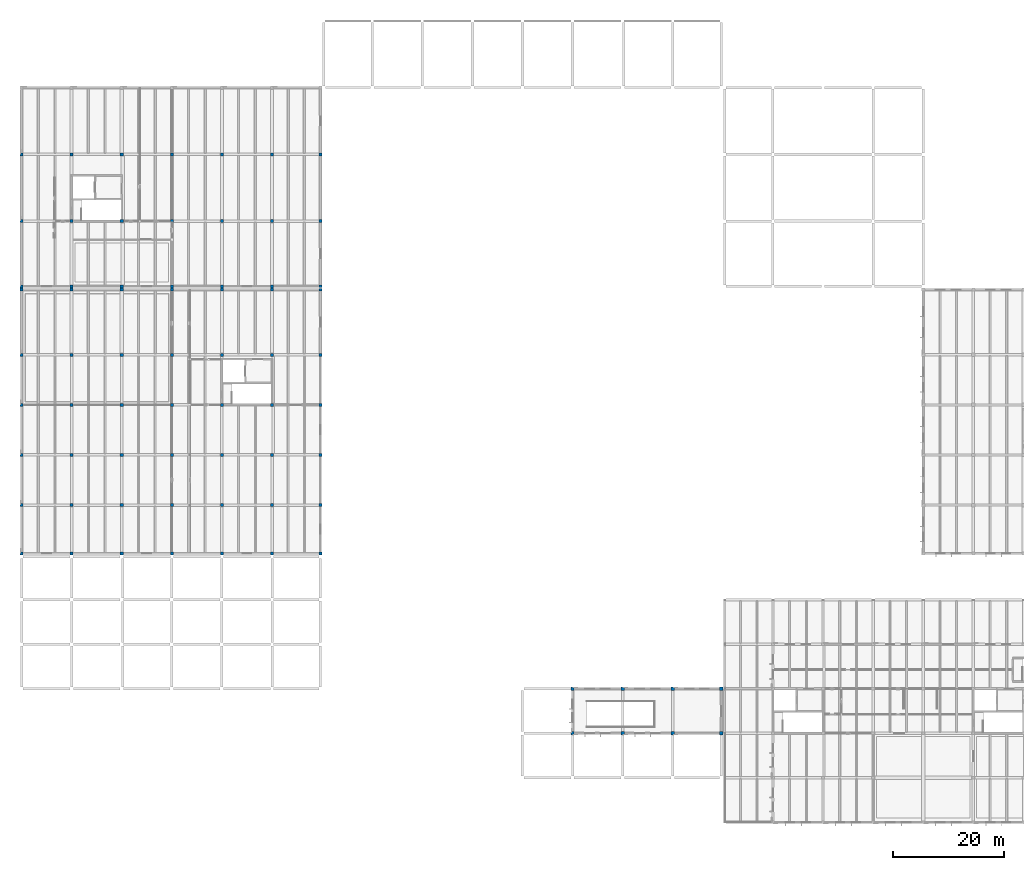
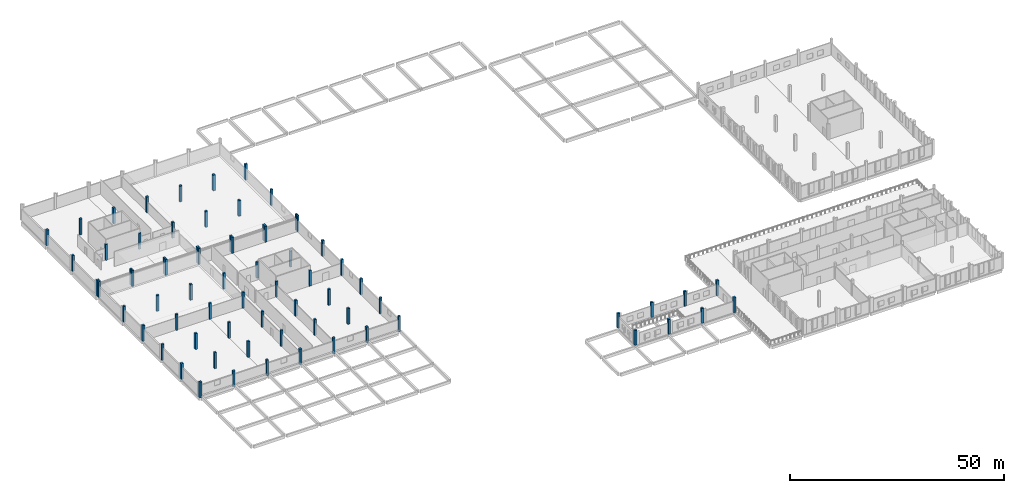
# One storey, part 1 of 25: 71 columns.
"""IFC4 building model written with IfcOpenShell, lengths in metres."""

from ifc_helpers import new_model, si_unit, direction, frame, origin, origin_2d, place, context, subcontext, project, spatial, rectangle, extrude, material, material_profile, profile_set, type_object, element, save


model = new_model("IFC4")

# Units and contexts
model_context = context("Model", 3, precision=1e-05, world=origin(), true_north=direction((0.0, 1.0)))
body_context = subcontext(model_context, "Body", "Model", "MODEL_VIEW")
ifc_project = project(units=[si_unit("LENGTHUNIT", "METRE"), si_unit("AREAUNIT", "SQUARE_METRE"), si_unit("VOLUMEUNIT", "CUBIC_METRE"), si_unit("PLANEANGLEUNIT", "RADIAN"), si_unit("MASSUNIT", "GRAM", prefix="KILO")], contexts=[model_context])

# Site, building, storey
site_placement = place(None, origin())
site = spatial("IfcSite", under=ifc_project, at=site_placement, CompositionType="ELEMENT")
building_placement = place(site_placement, origin())
building = spatial("IfcBuilding", under=site, at=building_placement, Name="Zacnel Wholesale Market", CompositionType="ELEMENT")
storey_placement = place(building_placement, frame((0.0, 0.0, 15.75)))
storey = spatial("IfcBuildingStorey", under=building, at=storey_placement, Name="L04", CompositionType="ELEMENT", Elevation=15.75)

# Columns
ifc_material_1 = material(Name="Precast concrete C45/55", Category="concrete")
ifc_material_profile_1 = material_profile(ifc_material_1, rectangle(XDim=0.5, YDim=0.5, at=origin_2d()), Name="PC 500x500")
ifc_profile_set_1 = profile_set([ifc_material_profile_1], Name="Precast concrete C45/55")
column_type_1 = type_object("IfcColumnType", Name="COL-PC500", PredefinedType="COLUMN", material=ifc_profile_set_1)
for number, where, z_axis, x_axis, name in (
    (1, (71.699951171875, 48.300048828125, 0.0), (0.0, 0.0, 1.0), (1.0, 0.0, 0.0), "Precast column L04-0899"),
    (2, (71.699951171875, 95.699951171875, 0.0), (0.0, 0.0, 1.0), (1.0, 0.0, 0.0), "Precast column L04-0904"),
    (3, (71.699951171875, 96.300048828125, 0.0), (0.0, 0.0, 1.0), (1.0, 0.0, 0.0), "Precast column L04-0905"),
):
    element("IfcColumn", number, at=place(storey_placement, frame(where, z_axis=z_axis, x_axis=x_axis)), inside=storey, type_object=column_type_1, Name=name, PredefinedType="COLUMN", context=body_context, shape_type="SweptSolid", body=[
        extrude(rectangle(XDim=0.5, YDim=0.5, at=origin_2d()), origin(), (0.0, 0.0, 1.0), 4.550048828125),
    ])
ifc_material_2 = material(Name="Precast concrete C45/55", Category="concrete")
ifc_material_profile_2 = material_profile(ifc_material_2, rectangle(XDim=0.550048828125, YDim=0.550048828125, at=origin_2d()), Name="PC 550x550")
ifc_profile_set_2 = profile_set([ifc_material_profile_2], Name="Precast concrete C45/55")
column_type_2 = type_object("IfcColumnType", Name="COL-PC550", PredefinedType="COLUMN", material=ifc_profile_set_2)
for number, where, z_axis, x_axis, name in (
    (4, (18.0, 48.300048828125, 0.0), (0.0, 0.0, 1.0), (1.0, 0.0, 0.0), "Precast column L04-0839"),
    (5, (18.0, 57.0, 0.0), (0.0, 0.0, 1.0), (1.0, 0.0, 0.0), "Precast column L04-0840"),
    (6, (18.0, 66.0, 0.0), (0.0, 0.0, 1.0), (1.0, 0.0, 0.0), "Precast column L04-0841"),
    (7, (18.0, 75.0, 0.0), (0.0, 0.0, 1.0), (1.0, 0.0, 0.0), "Precast column L04-0842"),
    (8, (18.0, 84.0, 0.0), (0.0, 0.0, 1.0), (1.0, 0.0, 0.0), "Precast column L04-0843"),
    (9, (18.0, 95.699951171875, 0.0), (0.0, 0.0, 1.0), (1.0, 0.0, 0.0), "Precast column L04-0844"),
    (10, (18.0, 96.300048828125, 0.0), (0.0, 0.0, 1.0), (1.0, 0.0, 0.0), "Precast column L04-0845"),
    (11, (18.0, 108.0, 0.0), (0.0, 0.0, 1.0), (1.0, 0.0, 0.0), "Precast column L04-0846"),
    (12, (18.0, 120.0, 0.0), (0.0, 0.0, 1.0), (1.0, 0.0, 0.0), "Precast column L04-0847"),
    (13, (27.0, 48.300048828125, 0.0), (0.0, 0.0, 1.0), (1.0, 0.0, 0.0), "Precast column L04-0849"),
    (14, (27.0, 57.0, 0.0), (0.0, 0.0, 1.0), (1.0, 0.0, 0.0), "Precast column L04-0850"),
    (15, (27.0, 66.0, 0.0), (0.0, 0.0, 1.0), (1.0, 0.0, 0.0), "Precast column L04-0851"),
    (16, (27.0, 75.0, 0.0), (0.0, 0.0, 1.0), (1.0, 0.0, 0.0), "Precast column L04-0852"),
    (17, (27.0, 84.0, 0.0), (0.0, 0.0, 1.0), (1.0, 0.0, 0.0), "Precast column L04-0853"),
    (18, (27.0, 95.699951171875, 0.0), (0.0, 0.0, 1.0), (1.0, 0.0, 0.0), "Precast column L04-0854"),
    (19, (27.0, 96.300048828125, 0.0), (0.0, 0.0, 1.0), (1.0, 0.0, 0.0), "Precast column L04-0855"),
    (20, (27.0, 108.0, 0.0), (0.0, 0.0, 1.0), (1.0, 0.0, 0.0), "Precast column L04-0856"),
    (21, (27.0, 120.0, 0.0), (0.0, 0.0, 1.0), (1.0, 0.0, 0.0), "Precast column L04-0857"),
    (22, (36.0, 48.300048828125, 0.0), (0.0, 0.0, 1.0), (1.0, 0.0, 0.0), "Precast column L04-0859"),
    (23, (36.0, 57.0, 0.0), (0.0, 0.0, 1.0), (1.0, 0.0, 0.0), "Precast column L04-0860"),
    (24, (36.0, 66.0, 0.0), (0.0, 0.0, 1.0), (1.0, 0.0, 0.0), "Precast column L04-0861"),
    (25, (36.0, 75.0, 0.0), (0.0, 0.0, 1.0), (1.0, 0.0, 0.0), "Precast column L04-0862"),
    (26, (36.0, 84.0, 0.0), (0.0, 0.0, 1.0), (1.0, 0.0, 0.0), "Precast column L04-0863"),
    (27, (36.0, 95.699951171875, 0.0), (0.0, 0.0, 1.0), (1.0, 0.0, 0.0), "Precast column L04-0864"),
    (28, (36.0, 96.300048828125, 0.0), (0.0, 0.0, 1.0), (1.0, 0.0, 0.0), "Precast column L04-0865"),
    (29, (36.0, 108.0, 0.0), (0.0, 0.0, 1.0), (1.0, 0.0, 0.0), "Precast column L04-0866"),
    (30, (36.0, 120.0, 0.0), (0.0, 0.0, 1.0), (1.0, 0.0, 0.0), "Precast column L04-0867"),
    (31, (45.0, 48.300048828125, 0.0), (0.0, 0.0, 1.0), (1.0, 0.0, 0.0), "Precast column L04-0869"),
    (32, (45.0, 57.0, 0.0), (0.0, 0.0, 1.0), (1.0, 0.0, 0.0), "Precast column L04-0870"),
    (33, (45.0, 66.0, 0.0), (0.0, 0.0, 1.0), (1.0, 0.0, 0.0), "Precast column L04-0871"),
    (34, (45.0, 75.0, 0.0), (0.0, 0.0, 1.0), (1.0, 0.0, 0.0), "Precast column L04-0872"),
    (35, (45.0, 84.0, 0.0), (0.0, 0.0, 1.0), (1.0, 0.0, 0.0), "Precast column L04-0873"),
    (36, (45.0, 95.699951171875, 0.0), (0.0, 0.0, 1.0), (1.0, 0.0, 0.0), "Precast column L04-0874"),
    (37, (45.0, 96.300048828125, 0.0), (0.0, 0.0, 1.0), (1.0, 0.0, 0.0), "Precast column L04-0875"),
    (38, (45.0, 108.0, 0.0), (0.0, 0.0, 1.0), (1.0, 0.0, 0.0), "Precast column L04-0876"),
    (39, (45.0, 120.0, 0.0), (0.0, 0.0, 1.0), (1.0, 0.0, 0.0), "Precast column L04-0877"),
    (40, (54.0, 48.300048828125, 0.0), (0.0, 0.0, 1.0), (1.0, 0.0, 0.0), "Precast column L04-0879"),
    (41, (54.0, 57.0, 0.0), (0.0, 0.0, 1.0), (1.0, 0.0, 0.0), "Precast column L04-0880"),
    (42, (54.0, 66.0, 0.0), (0.0, 0.0, 1.0), (1.0, 0.0, 0.0), "Precast column L04-0881"),
    (43, (54.0, 75.0, 0.0), (0.0, 0.0, 1.0), (1.0, 0.0, 0.0), "Precast column L04-0882"),
    (44, (54.0, 84.0, 0.0), (0.0, 0.0, 1.0), (1.0, 0.0, 0.0), "Precast column L04-0883"),
    (45, (54.0, 95.699951171875, 0.0), (0.0, 0.0, 1.0), (1.0, 0.0, 0.0), "Precast column L04-0884"),
    (46, (54.0, 96.300048828125, 0.0), (0.0, 0.0, 1.0), (1.0, 0.0, 0.0), "Precast column L04-0885"),
    (47, (54.0, 108.0, 0.0), (0.0, 0.0, 1.0), (1.0, 0.0, 0.0), "Precast column L04-0886"),
    (48, (54.0, 120.0, 0.0), (0.0, 0.0, 1.0), (1.0, 0.0, 0.0), "Precast column L04-0887"),
    (49, (63.0, 48.300048828125, 0.0), (0.0, 0.0, 1.0), (1.0, 0.0, 0.0), "Precast column L04-0889"),
    (50, (63.0, 57.0, 0.0), (0.0, 0.0, 1.0), (1.0, 0.0, 0.0), "Precast column L04-0890"),
    (51, (63.0, 66.0, 0.0), (0.0, 0.0, 1.0), (1.0, 0.0, 0.0), "Precast column L04-0891"),
    (52, (63.0, 75.0, 0.0), (0.0, 0.0, 1.0), (1.0, 0.0, 0.0), "Precast column L04-0892"),
    (53, (63.0, 84.0, 0.0), (0.0, 0.0, 1.0), (1.0, 0.0, 0.0), "Precast column L04-0893"),
    (54, (63.0, 95.699951171875, 0.0), (0.0, 0.0, 1.0), (1.0, 0.0, 0.0), "Precast column L04-0894"),
    (55, (63.0, 96.300048828125, 0.0), (0.0, 0.0, 1.0), (1.0, 0.0, 0.0), "Precast column L04-0895"),
    (56, (63.0, 108.0, 0.0), (0.0, 0.0, 1.0), (1.0, 0.0, 0.0), "Precast column L04-0896"),
    (57, (63.0, 120.0, 0.0), (0.0, 0.0, 1.0), (1.0, 0.0, 0.0), "Precast column L04-0897"),
    (58, (71.699951171875, 57.0, 0.0), (0.0, 0.0, 1.0), (1.0, 0.0, 0.0), "Precast column L04-0900"),
    (59, (71.699951171875, 66.0, 0.0), (0.0, 0.0, 1.0), (1.0, 0.0, 0.0), "Precast column L04-0901"),
    (60, (71.699951171875, 75.0, 0.0), (0.0, 0.0, 1.0), (1.0, 0.0, 0.0), "Precast column L04-0902"),
    (61, (71.699951171875, 84.0, 0.0), (0.0, 0.0, 1.0), (1.0, 0.0, 0.0), "Precast column L04-0903"),
    (62, (71.699951171875, 108.0, 0.0), (0.0, 0.0, 1.0), (1.0, 0.0, 0.0), "Precast column L04-0906"),
    (63, (71.699951171875, 120.0, 0.0), (0.0, 0.0, 1.0), (1.0, 0.0, 0.0), "Precast column L04-0907"),
):
    element("IfcColumn", number, at=place(storey_placement, frame(where, z_axis=z_axis, x_axis=x_axis)), inside=storey, type_object=column_type_2, Name=name, PredefinedType="COLUMN", context=body_context, shape_type="SweptSolid", body=[
        extrude(rectangle(XDim=0.550048828125, YDim=0.550048828125, at=origin_2d()), origin(), (0.0, 0.0, 1.0), 4.550048828125),
    ])
ifc_material_3 = material(Name="Precast concrete C45/55", Category="concrete")
ifc_material_profile_3 = material_profile(ifc_material_3, rectangle(XDim=0.60009765625, YDim=0.60009765625, at=origin_2d()), Name="PC 600x600")
ifc_profile_set_3 = profile_set([ifc_material_profile_3], Name="Precast concrete C45/55")
column_type_3 = type_object("IfcColumnType", Name="COL-PC600", PredefinedType="COLUMN", material=ifc_profile_set_3)
for number, where, z_axis, x_axis, name in (
    (64, (117.0, 16.0, 0.0), (0.0, 0.0, 1.0), (1.0, 0.0, 0.0), "Precast wing column V4EL4-023"),
    (65, (117.0, 24.0, 0.0), (0.0, 0.0, 1.0), (1.0, 0.0, 0.0), "Precast wing column V4EL4-024"),
    (66, (126.0, 16.0, 0.0), (0.0, 0.0, 1.0), (1.0, 0.0, 0.0), "Precast wing column V4EL4-025"),
    (67, (126.0, 24.0, 0.0), (0.0, 0.0, 1.0), (1.0, 0.0, 0.0), "Precast wing column V4EL4-026"),
    (68, (135.0, 16.0, 0.0), (0.0, 0.0, 1.0), (1.0, 0.0, 0.0), "Precast wing column V4EL4-027"),
    (69, (135.0, 24.0, 0.0), (0.0, 0.0, 1.0), (1.0, 0.0, 0.0), "Precast wing column V4EL4-028"),
    (70, (143.699951171875, 16.0, 0.0), (0.0, 0.0, 1.0), (1.0, 0.0, 0.0), "Precast wing column V4EL4-029"),
    (71, (143.699951171875, 24.0, 0.0), (0.0, 0.0, 1.0), (1.0, 0.0, 0.0), "Precast wing column V4EL4-030"),
):
    element("IfcColumn", number, at=place(storey_placement, frame(where, z_axis=z_axis, x_axis=x_axis)), inside=storey, type_object=column_type_3, Name=name, PredefinedType="COLUMN", context=body_context, shape_type="SweptSolid", body=[
        extrude(rectangle(XDim=0.60009765625, YDim=0.60009765625, at=origin_2d()), origin(), (0.0, 0.0, 1.0), 4.25),
    ])

save(model, "model.ifc")
